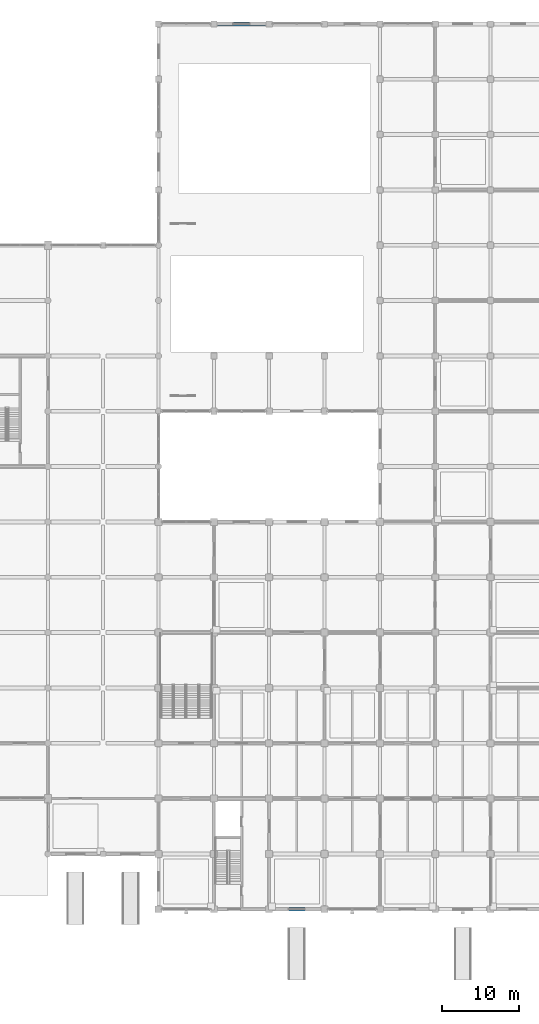
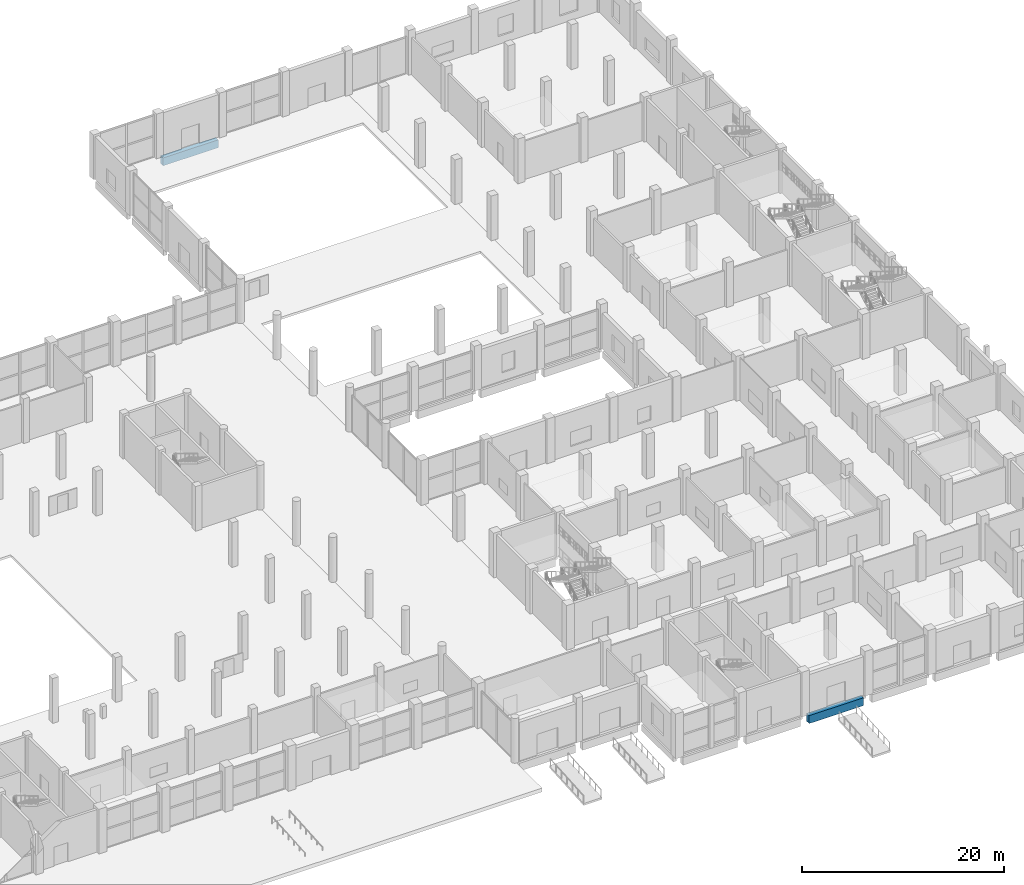
# One storey, part 32 of 70: 2 beams.
"""IFC4 building model written with IfcOpenShell, lengths in metres."""

from ifc_helpers import new_model, si_unit, direction, frame, origin, origin_2d, place, context, subcontext, project, spatial, rectangle, extrude, material, material_profile, profile_set, type_object, element, save


model = new_model("IFC4")

# Units and contexts
model_context = context("Model", 3, precision=1e-05, world=origin(), true_north=direction((0.0, 1.0)))
body_context = subcontext(model_context, "Body", "Model", "MODEL_VIEW")
ifc_project = project(units=[si_unit("LENGTHUNIT", "METRE"), si_unit("AREAUNIT", "SQUARE_METRE"), si_unit("VOLUMEUNIT", "CUBIC_METRE"), si_unit("PLANEANGLEUNIT", "RADIAN"), si_unit("MASSUNIT", "GRAM", prefix="KILO")], contexts=[model_context])

# Site, building, storey
site_placement = place(None, origin())
site = spatial("IfcSite", under=ifc_project, at=site_placement, CompositionType="ELEMENT")
building_placement = place(site_placement, origin())
building = spatial("IfcBuilding", under=site, at=building_placement, Name="Vesperath Aquatics Centre", CompositionType="ELEMENT")
storey_placement = place(building_placement, origin())
storey = spatial("IfcBuildingStorey", under=building, at=storey_placement, Name="L00", CompositionType="ELEMENT", Elevation=0.0)

# Beams
ifc_material = material(Name="Concrete C40", Category="concrete")
ifc_material_profile = material_profile(ifc_material, rectangle(XDim=0.5, YDim=0.949951171875, at=origin_2d()), Name="RC 500x950")
ifc_profile_set = profile_set([ifc_material_profile], Name="Concrete C40")
beam_type = type_object("IfcBeamType", Name="BM-G02", PredefinedType="BEAM", material=ifc_profile_set)
beam_1_placement = place(storey_placement, frame((122.85009765625, 115.199951171875, -0.7548828125), z_axis=(1.0, 0.0, 0.0), x_axis=(0.0, 1.0, 0.0)))
element("IfcBeam", 1, at=beam_1_placement, inside=storey, type_object=beam_type, Name="Floor Girder B02 L00 S 18-19", PredefinedType="BEAM", context=body_context, shape_type="SweptSolid", body=[
    extrude(rectangle(XDim=0.5, YDim=0.949951171875, at=origin_2d()), origin(), (0.0, 0.0, 1.0), 6.2998046875),
])
beam_2_placement = place(storey_placement, frame((130.10009765625, 0.0, -0.7548828125), z_axis=(1.0, 0.0, 0.0), x_axis=(0.0, 1.0, 0.0)))
element("IfcBeam", 2, at=beam_2_placement, inside=storey, type_object=beam_type, Name="Floor Girder B02 L00 A 19-20", PredefinedType="BEAM", context=body_context, shape_type="SweptSolid", body=[
    extrude(rectangle(XDim=0.5, YDim=0.949951171875, at=origin_2d()), origin(), (0.0, 0.0, 1.0), 6.199951171875),
])

save(model, "model.ifc")
